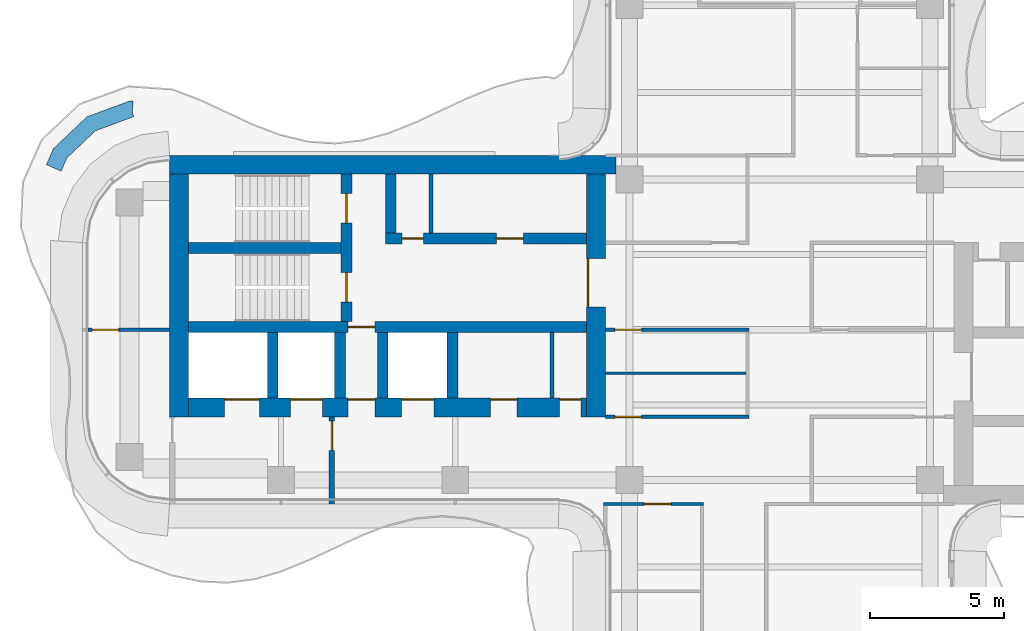
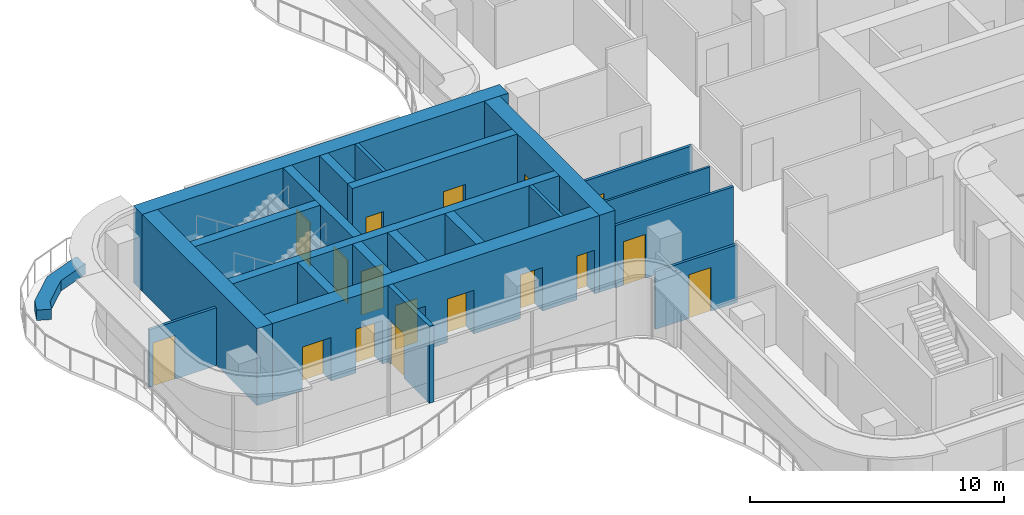
# One storey, part 12 of 17: 22 walls, 17 doors, 17 openings.
"""IFC4 building model written with IfcOpenShell, lengths in metres."""

from ifc_helpers import new_model, si_unit, direction, frame, frame_2d, origin, place, context, subcontext, project, spatial, polyline, rectangle, outline, extrude, source, transform, mapped, material, layer, layer_set, type_object, element, fill, save


model = new_model("IFC4")

# Units and contexts
model_context = context("Model", 3, precision=1e-05, world=origin(), true_north=direction((0.0, 1.0)))
body_context = subcontext(model_context, "Body", "Model", "MODEL_VIEW")
ifc_project = project(units=[si_unit("LENGTHUNIT", "METRE"), si_unit("AREAUNIT", "SQUARE_METRE"), si_unit("VOLUMEUNIT", "CUBIC_METRE"), si_unit("PLANEANGLEUNIT", "RADIAN"), si_unit("MASSUNIT", "GRAM", prefix="KILO")], contexts=[model_context])

# Site, building, storey
site_placement = place(None, origin())
site = spatial("IfcSite", under=ifc_project, at=site_placement, CompositionType="ELEMENT")
building_placement = place(site_placement, origin())
building = spatial("IfcBuilding", under=site, at=building_placement, Name="Trellis Farm Tower", CompositionType="ELEMENT")
storey_placement = place(building_placement, frame((0.0, 0.0, 283.300048828125)))
storey = spatial("IfcBuildingStorey", under=building, at=storey_placement, Name="L63", CompositionType="ELEMENT", Elevation=283.300048828125)

# Wall
ifc_material_1 = material(Name="Sandstone faced masonry planter", Category="masonry")
ifc_layer_1 = layer(ifc_material_1, 0.60009765625)
ifc_layer_set_1 = layer_set([ifc_layer_1], Name="PLANTER BED 600")
wall_type_1 = type_object("IfcWallType", Name="PLANTER BED 600", PredefinedType="USERDEFINED", material=ifc_layer_set_1)
wall_1_placement = place(storey_placement, origin())
element("IfcWall", 1, at=wall_1_placement, inside=storey, type_object=wall_type_1, Name="PLANTER bed", ObjectType="PLANTER", PredefinedType="USERDEFINED", context=body_context, shape_type="SweptSolid", body=[
    extrude(outline(polyline([(-27.080078125, 6.758056640625), (-25.83154296875, 7.940673828125), (-24.2314453125, 8.530517578125), (-24.109375, 8.522216796875), (-24.138427734375, 8.085693359375), (-24.083984375, 7.9453125), (-25.508544921875, 7.42041015625), (-26.579345703125, 6.40576171875), (-26.79541015625, 5.91357421875), (-27.3447265625, 6.15478515625), (-27.080078125, 6.758056640625)])), origin(), (0.0, 0.0, 1.0), 0.5),
])

# Wall, opening, door
ifc_material_2 = material(Name="Concrete C50/60", Category="concrete")
ifc_layer_2 = layer(ifc_material_2, 0.699951171875)
ifc_layer_set_2 = layer_set([ifc_layer_2], Name="CORE OUTER WALL 700 CONCRETE C50/60")
wall_type_2 = type_object("IfcWallType", Name="CORE OUTER WALL 700 CONCRETE C50/60", PredefinedType="SHEAR", material=ifc_layer_set_2)
shared_shape_1 = source(origin(), body_context, "Body", "SweptSolid", [
    extrude(rectangle(XDim=9.050048828125, YDim=0.699951171875, at=frame_2d((4.52490234375, 0.0))), origin(), (0.0, 0.0, 1.0), 3.699951171875),
])
wall_2_placement = place(storey_placement, frame((-6.85009765625, 5.800048828125, 0.0), z_axis=(0.0, 0.0, 1.0), x_axis=(0.0, -1.0, 0.0)))
wall_2 = element("IfcWall", 2, at=wall_2_placement, inside=storey, type_object=wall_type_2, Name="Core wall", PredefinedType="SHEAR", context=body_context, shape_type="MappedRepresentation", body=[
    mapped(shared_shape_1, transform((0.0, 0.0, 0.0))),
])
shared_shape_2 = source(origin(), body_context, "Body", "SweptSolid", [
    extrude(rectangle(XDim=1.800048828125, YDim=2.10009765625, at=frame_2d((0.89990234375, 1.050048828125))), frame((0.0, 0.360107421875, 0.0), z_axis=(0.0, -1.0, 0.0), x_axis=(1.0, 0.0, 0.0)), (0.0, 0.0, 1.0), 0.72021484375),
])
opening_1_placement = place(wall_2_placement, frame((3.14990234375, 0.0, 0.0)))
opening_1 = element("IfcOpeningElement", 3, at=opening_1_placement, cuts=wall_2, Name="Opening DC87", PredefinedType="OPENING", context=body_context, shape_type="MappedRepresentation", body=[
    mapped(shared_shape_2, transform((0.0, 0.0, 0.0))),
])
ifc_material_3 = material(Name="Steel", Category="steel")
door_type_1 = type_object("IfcDoorType", Name="CORE FIRE DOOR DOUBLE 1800 X 2100", OperationType="DOUBLE_DOOR_SINGLE_SWING", PredefinedType="DOOR", material=ifc_material_3)
shared_shape_3 = source(origin(), body_context, "Body", "SweptSolid", [
    extrude(rectangle(XDim=1.800048828125, YDim=2.10009765625, at=frame_2d((0.89990234375, 1.050048828125))), frame((0.0, -0.27490234375, 0.0), z_axis=(0.0, -1.0, 0.0), x_axis=(1.0, 0.0, 0.0)), (0.0, 0.0, 1.0), 0.050048828125),
])
door_1_placement = place(opening_1_placement, origin())
door_1 = element("IfcDoor", 4, at=door_1_placement, inside=storey, type_object=door_type_1, Name="Core door", OperationType="DOUBLE_DOOR_SINGLE_SWING", OverallHeight=2.10009765625, OverallWidth=1.800048828125, PredefinedType="DOOR", context=body_context, shape_type="MappedRepresentation", body=[
    mapped(shared_shape_3, transform((0.0, 0.0, 0.0))),
])
fill(opening_1, door_1)

# Walls
wall_3_placement = place(storey_placement, frame((-22.39990234375, 5.800048828125, 0.0), z_axis=(0.0, 0.0, 1.0), x_axis=(0.0, -1.0, 0.0)))
element("IfcWall", 5, at=wall_3_placement, inside=storey, type_object=wall_type_2, Name="Core wall", PredefinedType="SHEAR", context=body_context, shape_type="MappedRepresentation", body=[
    mapped(shared_shape_1, transform((0.0, 0.0, 0.0))),
])
ifc_layer_3 = layer(ifc_material_2, 0.39990234375)
ifc_layer_set_3 = layer_set([ifc_layer_3], Name="CORE INNER WALL 400 CONCRETE C50/60")
wall_type_3 = type_object("IfcWallType", Name="CORE INNER WALL 400 CONCRETE C50/60", PredefinedType="SHEAR", material=ifc_layer_set_3)
shared_shape_4 = source(origin(), body_context, "Body", "SweptSolid", [
    extrude(rectangle(XDim=2.449951171875, YDim=0.39990234375, at=frame_2d((1.22509765625, 0.0))), origin(), (0.0, 0.0, 1.0), 3.699951171875),
])
for number, where, z_axis, x_axis, name in (
    (6, (-12.199951171875, -0.10009765625, 0.0), (0.0, 0.0, 1.0), (0.0, -1.0, 0.0), "Core wall"),
    (7, (-14.800048828125, -0.10009765625, 0.0), (0.0, 0.0, 1.0), (0.0, -1.0, 0.0), "Core wall"),
    (8, (-16.39990234375, -0.10009765625, 0.0), (0.0, 0.0, 1.0), (0.0, -1.0, 0.0), "Core wall"),
    (9, (-18.89990234375, -0.10009765625, 0.0), (0.0, 0.0, 1.0), (0.0, -1.0, 0.0), "Core wall"),
):
    element("IfcWall", number, at=place(storey_placement, frame(where, z_axis=z_axis, x_axis=x_axis)), inside=storey, type_object=wall_type_3, Name=name, PredefinedType="SHEAR", context=body_context, shape_type="MappedRepresentation", body=[
        mapped(shared_shape_4, transform((0.0, 0.0, 0.0))),
    ])

# Wall, opening, door
ifc_material_4 = material(Name="Masonry blockwork", Category="masonry")
ifc_layer_4 = layer(ifc_material_4, 0.199951171875)
ifc_layer_set_4 = layer_set([ifc_layer_4], Name="FIRE LOBBY PARTITION 200 BLOCKWORK")
wall_type_4 = type_object("IfcWallType", Name="FIRE LOBBY PARTITION 200 BLOCKWORK", PredefinedType="PARTITIONING", material=ifc_layer_set_4)
shared_shape_5 = source(origin(), body_context, "Body", "SweptSolid", [
    extrude(rectangle(XDim=3.25, YDim=0.199951171875, at=frame_2d((1.625, 0.0))), origin(), (0.0, 0.0, 1.0), 3.699951171875),
])
wall_4_placement = place(storey_placement, frame((-16.699951171875, -3.25, 0.0), z_axis=(0.0, 0.0, 1.0), x_axis=(0.0, -1.0, 0.0)))
wall_4 = element("IfcWall", 10, at=wall_4_placement, inside=storey, type_object=wall_type_4, Name="Fire-fighting lobby partition", PredefinedType="PARTITIONING", context=body_context, shape_type="MappedRepresentation", body=[
    mapped(shared_shape_5, transform((0.0, 0.0, 0.0))),
])
shared_shape_6 = source(origin(), body_context, "Body", "SweptSolid", [
    extrude(rectangle(XDim=1.10009765625, YDim=2.10009765625, at=frame_2d((0.550048828125, 1.050048828125))), frame((0.0, 0.110107421875, 0.0), z_axis=(0.0, -1.0, 0.0), x_axis=(1.0, 0.0, 0.0)), (0.0, 0.0, 1.0), 0.22021484375),
])
opening_2_placement = place(wall_4_placement, frame((0.14990234375, 0.0, 0.0)))
opening_2 = element("IfcOpeningElement", 11, at=opening_2_placement, cuts=wall_4, Name="Opening DC93", PredefinedType="OPENING", context=body_context, shape_type="MappedRepresentation", body=[
    mapped(shared_shape_6, transform((0.0, 0.0, 0.0))),
])
door_type_2 = type_object("IfcDoorType", Name="CORE FIRE DOOR 1100 X 2100", OperationType="NOTDEFINED", PredefinedType="DOOR", material=ifc_material_3)
shared_shape_7 = source(origin(), body_context, "Body", "SweptSolid", [
    extrude(rectangle(XDim=1.10009765625, YDim=2.10009765625, at=frame_2d((0.550048828125, 1.050048828125))), frame((0.0, 0.02490234375, 0.0), z_axis=(0.0, -1.0, 0.0), x_axis=(1.0, 0.0, 0.0)), (0.0, 0.0, 1.0), 0.050048828125),
])
door_2_placement = place(opening_2_placement, origin())
door_2 = element("IfcDoor", 12, at=door_2_placement, inside=storey, type_object=door_type_2, Name="Core door", OperationType="SINGLE_SWING_RIGHT", OverallHeight=2.10009765625, OverallWidth=1.10009765625, PredefinedType="DOOR", context=body_context, shape_type="MappedRepresentation", body=[
    mapped(shared_shape_7, transform((0.0, 0.0, 0.0))),
])
fill(opening_2, door_2)

# Wall, openings, doors
shared_shape_8 = source(origin(), body_context, "Body", "SweptSolid", [
    extrude(rectangle(XDim=14.85009765625, YDim=0.699951171875, at=frame_2d((7.425048828125, 0.0))), origin(), (0.0, 0.0, 1.0), 3.699951171875),
])
wall_5_placement = place(storey_placement, frame((-7.199951171875, -2.89990234375, 0.0), z_axis=(0.0, 0.0, 1.0), x_axis=(-1.0, 0.0, 0.0)))
wall_5 = element("IfcWall", 13, at=wall_5_placement, inside=storey, type_object=wall_type_2, Name="Core wall", PredefinedType="SHEAR", context=body_context, shape_type="MappedRepresentation", body=[
    mapped(shared_shape_8, transform((0.0, 0.0, 0.0))),
])
shared_shape_9 = source(origin(), body_context, "Body", "SweptSolid", [
    extrude(rectangle(XDim=1.199951171875, YDim=2.10009765625, at=frame_2d((0.60009765625, 1.050048828125))), frame((0.0, 0.360107421875, 0.0), z_axis=(0.0, -1.0, 0.0), x_axis=(1.0, 0.0, 0.0)), (0.0, 0.0, 1.0), 0.72021484375),
])
opening_3_placement = place(wall_5_placement, frame((5.699951171875, 0.0, 0.0)))
opening_3 = element("IfcOpeningElement", 14, at=opening_3_placement, cuts=wall_5, Name="Opening LD14", PredefinedType="OPENING", context=body_context, shape_type="MappedRepresentation", body=[
    mapped(shared_shape_9, transform((0.0, 0.0, 0.0))),
])
shared_shape_10 = source(origin(), body_context, "Body", "SweptSolid", [
    extrude(rectangle(XDim=1.300048828125, YDim=2.10009765625, at=frame_2d((0.64990234375, 1.050048828125))), frame((0.0, 0.360107421875, 0.0), z_axis=(0.0, -1.0, 0.0), x_axis=(1.0, 0.0, 0.0)), (0.0, 0.0, 1.0), 0.72021484375),
])
opening_4_placement = place(wall_5_placement, frame((12.199951171875, 0.0, 0.0)))
opening_4 = element("IfcOpeningElement", 15, at=opening_4_placement, cuts=wall_5, Name="Opening LD15", PredefinedType="OPENING", context=body_context, shape_type="MappedRepresentation", body=[
    mapped(shared_shape_10, transform((0.0, 0.0, 0.0))),
])
opening_5_placement = place(wall_5_placement, frame((9.85009765625, 0.0, 0.0)))
opening_5 = element("IfcOpeningElement", 16, at=opening_5_placement, cuts=wall_5, Name="Opening LD16", PredefinedType="OPENING", context=body_context, shape_type="MappedRepresentation", body=[
    mapped(shared_shape_9, transform((0.0, 0.0, 0.0))),
])
shared_shape_11 = source(origin(), body_context, "Body", "SweptSolid", [
    extrude(rectangle(XDim=1.0, YDim=2.10009765625, at=frame_2d((0.5, 1.050048828125))), frame((0.0, 0.360107421875, 0.0), z_axis=(0.0, -1.0, 0.0), x_axis=(1.0, 0.0, 0.0)), (0.0, 0.0, 1.0), 0.72021484375),
])
opening_6_placement = place(wall_5_placement, frame((7.89990234375, 0.0, 0.0)))
opening_6 = element("IfcOpeningElement", 17, at=opening_6_placement, cuts=wall_5, Name="Opening DC92", PredefinedType="OPENING", context=body_context, shape_type="MappedRepresentation", body=[
    mapped(shared_shape_11, transform((0.0, 0.0, 0.0))),
])
shared_shape_12 = source(origin(), body_context, "Body", "SweptSolid", [
    extrude(rectangle(XDim=0.800048828125, YDim=2.10009765625, at=frame_2d((0.39990234375, 1.050048828125))), frame((0.0, 0.360107421875, 0.0), z_axis=(0.0, -1.0, 0.0), x_axis=(1.0, 0.0, 0.0)), (0.0, 0.0, 1.0), 0.72021484375),
])
opening_7_placement = place(wall_5_placement, frame((0.21240234375, 0.0, 0.0)))
opening_7 = element("IfcOpeningElement", 18, at=opening_7_placement, cuts=wall_5, Name="Opening DC95", PredefinedType="OPENING", context=body_context, shape_type="MappedRepresentation", body=[
    mapped(shared_shape_12, transform((0.0, 0.0, 0.0))),
])
opening_8_placement = place(wall_5_placement, frame((2.58740234375, 0.0, 0.0)))
opening_8 = element("IfcOpeningElement", 19, at=opening_8_placement, cuts=wall_5, Name="Opening DC106", PredefinedType="OPENING", context=body_context, shape_type="MappedRepresentation", body=[
    mapped(shared_shape_11, transform((0.0, 0.0, 0.0))),
])
door_type_3 = type_object("IfcDoorType", Name="CORE FIRE DOOR 1000 X 2100", OperationType="NOTDEFINED", PredefinedType="DOOR", material=ifc_material_3)
shared_shape_13 = source(origin(), body_context, "Body", "SweptSolid", [
    extrude(rectangle(XDim=1.0, YDim=2.10009765625, at=frame_2d((0.5, 1.050048828125))), frame((0.0, -0.27490234375, 0.0), z_axis=(0.0, -1.0, 0.0), x_axis=(1.0, 0.0, 0.0)), (0.0, 0.0, 1.0), 0.050048828125),
])
door_3_placement = place(opening_6_placement, origin())
door_3 = element("IfcDoor", 20, at=door_3_placement, inside=storey, type_object=door_type_3, Name="Core door", OperationType="SINGLE_SWING_LEFT", OverallHeight=2.10009765625, OverallWidth=1.0, PredefinedType="DOOR", context=body_context, shape_type="MappedRepresentation", body=[
    mapped(shared_shape_13, transform((0.0, 0.0, 0.0))),
])
fill(opening_6, door_3)
door_4_placement = place(opening_8_placement, origin())
door_4 = element("IfcDoor", 21, at=door_4_placement, inside=storey, type_object=door_type_3, Name="Core door", OperationType="SINGLE_SWING_RIGHT", OverallHeight=2.10009765625, OverallWidth=1.0, PredefinedType="DOOR", context=body_context, shape_type="MappedRepresentation", body=[
    mapped(shared_shape_13, transform((0.0, 0.0, 0.0))),
])
fill(opening_8, door_4)
ifc_material_5 = material(Name="Stainless steel", Category="steel")
door_type_4 = type_object("IfcDoorType", Name="LIFT LANDING DOOR 1300 X 2100", OperationType="DOUBLE_DOOR_SLIDING", PredefinedType="DOOR", material=ifc_material_5)
shared_shape_14 = source(origin(), body_context, "Body", "SweptSolid", [
    extrude(rectangle(XDim=1.300048828125, YDim=2.10009765625, at=frame_2d((0.64990234375, 1.050048828125))), frame((0.0, -0.27490234375, 0.0), z_axis=(0.0, -1.0, 0.0), x_axis=(1.0, 0.0, 0.0)), (0.0, 0.0, 1.0), 0.050048828125),
])
door_5_placement = place(opening_4_placement, origin())
door_5 = element("IfcDoor", 22, at=door_5_placement, inside=storey, type_object=door_type_4, Name="Lift landing door", OperationType="DOUBLE_DOOR_SLIDING", OverallHeight=2.10009765625, OverallWidth=1.300048828125, PredefinedType="DOOR", context=body_context, shape_type="MappedRepresentation", body=[
    mapped(shared_shape_14, transform((0.0, 0.0, 0.0))),
])
fill(opening_4, door_5)
door_type_5 = type_object("IfcDoorType", Name="LIFT LANDING DOOR 1200 X 2100", OperationType="DOUBLE_DOOR_SLIDING", PredefinedType="DOOR", material=ifc_material_5)
shared_shape_15 = source(origin(), body_context, "Body", "SweptSolid", [
    extrude(rectangle(XDim=1.199951171875, YDim=2.10009765625, at=frame_2d((0.60009765625, 1.050048828125))), frame((0.0, -0.27490234375, 0.0), z_axis=(0.0, -1.0, 0.0), x_axis=(1.0, 0.0, 0.0)), (0.0, 0.0, 1.0), 0.050048828125),
])
door_6_placement = place(opening_3_placement, origin())
door_6 = element("IfcDoor", 23, at=door_6_placement, inside=storey, type_object=door_type_5, Name="Lift landing door", OperationType="DOUBLE_DOOR_SLIDING", OverallHeight=2.10009765625, OverallWidth=1.199951171875, PredefinedType="DOOR", context=body_context, shape_type="MappedRepresentation", body=[
    mapped(shared_shape_15, transform((0.0, 0.0, 0.0))),
])
fill(opening_3, door_6)
door_7_placement = place(opening_5_placement, origin())
door_7 = element("IfcDoor", 24, at=door_7_placement, inside=storey, type_object=door_type_5, Name="Lift landing door", OperationType="DOUBLE_DOOR_SLIDING", OverallHeight=2.10009765625, OverallWidth=1.199951171875, PredefinedType="DOOR", context=body_context, shape_type="MappedRepresentation", body=[
    mapped(shared_shape_15, transform((0.0, 0.0, 0.0))),
])
fill(opening_5, door_7)
door_type_6 = type_object("IfcDoorType", Name="CORE FIRE DOOR 800 X 2100", OperationType="NOTDEFINED", PredefinedType="DOOR", material=ifc_material_3)
shared_shape_16 = source(origin(), body_context, "Body", "SweptSolid", [
    extrude(rectangle(XDim=0.800048828125, YDim=2.10009765625, at=frame_2d((0.39990234375, 1.050048828125))), frame((0.0, -0.27490234375, 0.0), z_axis=(0.0, -1.0, 0.0), x_axis=(1.0, 0.0, 0.0)), (0.0, 0.0, 1.0), 0.050048828125),
])
door_8_placement = place(opening_7_placement, origin())
door_8 = element("IfcDoor", 25, at=door_8_placement, inside=storey, type_object=door_type_6, Name="Core door", OperationType="SINGLE_SWING_LEFT", OverallHeight=2.10009765625, OverallWidth=0.800048828125, PredefinedType="DOOR", context=body_context, shape_type="MappedRepresentation", body=[
    mapped(shared_shape_16, transform((0.0, 0.0, 0.0))),
])
fill(opening_7, door_8)

shared_shape_17 = source(origin(), body_context, "Body", "SweptSolid", [
    extrude(rectangle(XDim=7.5, YDim=0.39990234375, at=frame_2d((3.75, 0.0))), origin(), (0.0, 0.0, 1.0), 3.699951171875),
])
wall_6_placement = place(storey_placement, frame((-7.199951171875, 3.39990234375, 0.0), z_axis=(0.0, 0.0, 1.0), x_axis=(-1.0, 0.0, 0.0)))
wall_6 = element("IfcWall", 26, at=wall_6_placement, inside=storey, type_object=wall_type_3, Name="Core wall", PredefinedType="SHEAR", context=body_context, shape_type="MappedRepresentation", body=[
    mapped(shared_shape_17, transform((0.0, 0.0, 0.0))),
])
shared_shape_18 = source(origin(), body_context, "Body", "SweptSolid", [
    extrude(rectangle(XDim=1.0, YDim=2.10009765625, at=frame_2d((0.5, 1.050048828125))), frame((0.0, 0.2099609375, 0.0), z_axis=(0.0, -1.0, 0.0), x_axis=(1.0, 0.0, 0.0)), (0.0, 0.0, 1.0), 0.419921875),
])
opening_9_placement = place(wall_6_placement, frame((2.362548828125, 0.0, 0.0)))
opening_9 = element("IfcOpeningElement", 27, at=opening_9_placement, cuts=wall_6, Name="Opening DC141", PredefinedType="OPENING", context=body_context, shape_type="MappedRepresentation", body=[
    mapped(shared_shape_18, transform((0.0, 0.0, 0.0))),
])
shared_shape_19 = source(origin(), body_context, "Body", "SweptSolid", [
    extrude(rectangle(XDim=0.800048828125, YDim=2.10009765625, at=frame_2d((0.39990234375, 1.050048828125))), frame((0.0, 0.2099609375, 0.0), z_axis=(0.0, -1.0, 0.0), x_axis=(1.0, 0.0, 0.0)), (0.0, 0.0, 1.0), 0.419921875),
])
opening_10_placement = place(wall_6_placement, frame((6.08740234375, 0.0, 0.0)))
opening_10 = element("IfcOpeningElement", 28, at=opening_10_placement, cuts=wall_6, Name="Opening DC144", PredefinedType="OPENING", context=body_context, shape_type="MappedRepresentation", body=[
    mapped(shared_shape_19, transform((0.0, 0.0, 0.0))),
])
shared_shape_20 = source(origin(), body_context, "Body", "SweptSolid", [
    extrude(rectangle(XDim=1.0, YDim=2.10009765625, at=frame_2d((0.5, 1.050048828125))), frame((0.0, 0.02490234375, 0.0), z_axis=(0.0, -1.0, 0.0), x_axis=(1.0, 0.0, 0.0)), (0.0, 0.0, 1.0), 0.050048828125),
])
door_9_placement = place(opening_9_placement, origin())
door_9 = element("IfcDoor", 29, at=door_9_placement, inside=storey, type_object=door_type_3, Name="Core door", OperationType="SINGLE_SWING_LEFT", OverallHeight=2.10009765625, OverallWidth=1.0, PredefinedType="DOOR", context=body_context, shape_type="MappedRepresentation", body=[
    mapped(shared_shape_20, transform((0.0, 0.0, 0.0))),
])
fill(opening_9, door_9)
shared_shape_21 = source(origin(), body_context, "Body", "SweptSolid", [
    extrude(rectangle(XDim=0.800048828125, YDim=2.10009765625, at=frame_2d((0.39990234375, 1.050048828125))), frame((0.0, 0.02490234375, 0.0), z_axis=(0.0, -1.0, 0.0), x_axis=(1.0, 0.0, 0.0)), (0.0, 0.0, 1.0), 0.050048828125),
])
door_10_placement = place(opening_10_placement, origin())
door_10 = element("IfcDoor", 30, at=door_10_placement, inside=storey, type_object=door_type_6, Name="Core door", OperationType="SINGLE_SWING_RIGHT", OverallHeight=2.10009765625, OverallWidth=0.800048828125, PredefinedType="DOOR", context=body_context, shape_type="MappedRepresentation", body=[
    mapped(shared_shape_21, transform((0.0, 0.0, 0.0))),
])
fill(opening_10, door_10)

# Wall, opening, door
shared_shape_22 = source(origin(), body_context, "Body", "SweptSolid", [
    extrude(rectangle(XDim=14.85009765625, YDim=0.39990234375, at=frame_2d((7.425048828125, 0.0))), origin(), (0.0, 0.0, 1.0), 3.699951171875),
])
wall_7_placement = place(storey_placement, frame((-7.199951171875, 0.10009765625, 0.0), z_axis=(0.0, 0.0, 1.0), x_axis=(-1.0, 0.0, 0.0)))
wall_7 = element("IfcWall", 31, at=wall_7_placement, inside=storey, type_object=wall_type_3, Name="Core wall", PredefinedType="SHEAR", context=body_context, shape_type="MappedRepresentation", body=[
    mapped(shared_shape_22, transform((0.0, 0.0, 0.0))),
])
opening_11_placement = place(wall_7_placement, frame((7.89990234375, 0.0, 0.0)))
opening_11 = element("IfcOpeningElement", 32, at=opening_11_placement, cuts=wall_7, Name="Opening DC91", PredefinedType="OPENING", context=body_context, shape_type="MappedRepresentation", body=[
    mapped(shared_shape_18, transform((0.0, 0.0, 0.0))),
])
door_11_placement = place(opening_11_placement, origin())
door_11 = element("IfcDoor", 33, at=door_11_placement, inside=storey, type_object=door_type_3, Name="Core door", OperationType="SINGLE_SWING_RIGHT", OverallHeight=2.10009765625, OverallWidth=1.0, PredefinedType="DOOR", context=body_context, shape_type="MappedRepresentation", body=[
    mapped(shared_shape_20, transform((0.0, 0.0, 0.0))),
])
fill(opening_11, door_11)

# Wall, openings, doors
shared_shape_23 = source(origin(), body_context, "Body", "SweptSolid", [
    extrude(rectangle(XDim=5.5, YDim=0.39990234375, at=frame_2d((2.75, 0.0))), origin(), (0.0, 0.0, 1.0), 3.699951171875),
])
wall_8_placement = place(storey_placement, frame((-16.14990234375, 5.800048828125, 0.0), z_axis=(0.0, 0.0, 1.0), x_axis=(0.0, -1.0, 0.0)))
wall_8 = element("IfcWall", 34, at=wall_8_placement, inside=storey, type_object=wall_type_3, Name="Core wall", PredefinedType="SHEAR", context=body_context, shape_type="MappedRepresentation", body=[
    mapped(shared_shape_23, transform((0.0, 0.0, 0.0))),
])
shared_shape_24 = source(origin(), body_context, "Body", "SweptSolid", [
    extrude(rectangle(XDim=1.10009765625, YDim=2.10009765625, at=frame_2d((0.550048828125, 1.050048828125))), frame((0.0, 0.2099609375, 0.0), z_axis=(0.0, -1.0, 0.0), x_axis=(1.0, 0.0, 0.0)), (0.0, 0.0, 1.0), 0.419921875),
])
opening_12_placement = place(wall_8_placement, frame((0.72509765625, 0.0, 0.0)))
opening_12 = element("IfcOpeningElement", 35, at=opening_12_placement, cuts=wall_8, Name="Opening DC88", PredefinedType="OPENING", context=body_context, shape_type="MappedRepresentation", body=[
    mapped(shared_shape_24, transform((0.0, 0.0, 0.0))),
])
opening_13_placement = place(wall_8_placement, frame((3.675048828125, 0.0, 0.0)))
opening_13 = element("IfcOpeningElement", 36, at=opening_13_placement, cuts=wall_8, Name="Opening DC89", PredefinedType="OPENING", context=body_context, shape_type="MappedRepresentation", body=[
    mapped(shared_shape_24, transform((0.0, 0.0, 0.0))),
])
door_12_placement = place(opening_12_placement, origin())
door_12 = element("IfcDoor", 37, at=door_12_placement, inside=storey, type_object=door_type_2, Name="Core door", OperationType="SINGLE_SWING_RIGHT", OverallHeight=2.10009765625, OverallWidth=1.10009765625, PredefinedType="DOOR", context=body_context, shape_type="MappedRepresentation", body=[
    mapped(shared_shape_7, transform((0.0, 0.0, 0.0))),
])
fill(opening_12, door_12)
door_13_placement = place(opening_13_placement, origin())
door_13 = element("IfcDoor", 38, at=door_13_placement, inside=storey, type_object=door_type_2, Name="Core door", OperationType="SINGLE_SWING_LEFT", OverallHeight=2.10009765625, OverallWidth=1.10009765625, PredefinedType="DOOR", context=body_context, shape_type="MappedRepresentation", body=[
    mapped(shared_shape_7, transform((0.0, 0.0, 0.0))),
])
fill(opening_13, door_13)

# Walls
shared_shape_25 = source(origin(), body_context, "Body", "SweptSolid", [
    extrude(rectangle(XDim=5.699951171875, YDim=0.39990234375, at=frame_2d((2.85009765625, 0.0))), origin(), (0.0, 0.0, 1.0), 3.699951171875),
])
wall_9_placement = place(storey_placement, frame((-16.35009765625, 3.050048828125, 0.0), z_axis=(0.0, 0.0, 1.0), x_axis=(-1.0, 0.0, 0.0)))
element("IfcWall", 39, at=wall_9_placement, inside=storey, type_object=wall_type_3, Name="Core wall", PredefinedType="SHEAR", context=body_context, shape_type="MappedRepresentation", body=[
    mapped(shared_shape_25, transform((0.0, 0.0, 0.0))),
])
shared_shape_26 = source(origin(), body_context, "Body", "SweptSolid", [
    extrude(rectangle(XDim=2.199951171875, YDim=0.39990234375, at=frame_2d((1.10009765625, 0.0))), origin(), (0.0, 0.0, 1.0), 3.699951171875),
])
wall_10_placement = place(storey_placement, frame((-14.5, 5.800048828125, 0.0), z_axis=(0.0, 0.0, 1.0), x_axis=(0.0, -1.0, 0.0)))
element("IfcWall", 40, at=wall_10_placement, inside=storey, type_object=wall_type_3, Name="Core wall", PredefinedType="SHEAR", context=body_context, shape_type="MappedRepresentation", body=[
    mapped(shared_shape_26, transform((0.0, 0.0, 0.0))),
])
ifc_layer_5 = layer(ifc_material_4, 0.14990234375)
ifc_layer_set_5 = layer_set([ifc_layer_5], Name="CORE PARTITION 150 BLOCKWORK")
wall_type_5 = type_object("IfcWallType", Name="CORE PARTITION 150 BLOCKWORK", PredefinedType="PARTITIONING", material=ifc_layer_set_5)
shared_shape_27 = source(origin(), body_context, "Body", "SweptSolid", [
    extrude(rectangle(XDim=2.199951171875, YDim=0.14990234375, at=frame_2d((1.10009765625, 0.0))), origin(), (0.0, 0.0, 1.0), 3.699951171875),
])
wall_11_placement = place(storey_placement, frame((-13.0, 5.800048828125, 0.0), z_axis=(0.0, 0.0, 1.0), x_axis=(0.0, -1.0, 0.0)))
element("IfcWall", 41, at=wall_11_placement, inside=storey, type_object=wall_type_5, Name="Core room partition", PredefinedType="PARTITIONING", context=body_context, shape_type="MappedRepresentation", body=[
    mapped(shared_shape_27, transform((0.0, 0.0, 0.0))),
])
shared_shape_28 = source(origin(), body_context, "Body", "SweptSolid", [
    extrude(rectangle(XDim=16.64990234375, YDim=0.699951171875, at=frame_2d((8.324951171875, 0.0))), origin(), (0.0, 0.0, 1.0), 3.699951171875),
])
wall_12_placement = place(storey_placement, frame((-6.10009765625, 6.14990234375, 0.0), z_axis=(0.0, 0.0, 1.0), x_axis=(-1.0, 0.0, 0.0)))
element("IfcWall", 42, at=wall_12_placement, inside=storey, type_object=wall_type_2, Name="Core wall", PredefinedType="SHEAR", context=body_context, shape_type="MappedRepresentation", body=[
    mapped(shared_shape_28, transform((0.0, 0.0, 0.0))),
])
shared_shape_29 = source(origin(), body_context, "Body", "SweptSolid", [
    extrude(rectangle(XDim=2.449951171875, YDim=0.14990234375, at=frame_2d((1.22509765625, 0.0))), origin(), (0.0, 0.0, 1.0), 3.699951171875),
])
wall_13_placement = place(storey_placement, frame((-8.5, -0.10009765625, 0.0), z_axis=(0.0, 0.0, 1.0), x_axis=(0.0, -1.0, 0.0)))
element("IfcWall", 43, at=wall_13_placement, inside=storey, type_object=wall_type_5, Name="Core room partition", PredefinedType="PARTITIONING", context=body_context, shape_type="MappedRepresentation", body=[
    mapped(shared_shape_29, transform((0.0, 0.0, 0.0))),
])

# Wall, opening, door
ifc_material_6 = material(Name="Plasterboard on steel studs, mineral wool", Category="steel")
ifc_layer_6 = layer(ifc_material_6, 0.125)
ifc_layer_set_6 = layer_set([ifc_layer_6], Name="PARTITION 125 STUD EI 60")
wall_type_6 = type_object("IfcWallType", Name="PARTITION 125 STUD EI 60", PredefinedType="PARTITIONING", material=ifc_layer_set_6)
shared_shape_30 = source(origin(), body_context, "Body", "SweptSolid", [
    extrude(rectangle(XDim=5.362548828125, YDim=0.125, at=frame_2d((2.68115234375, 0.0))), origin(), (0.0, 0.0, 1.0), 2.99658203125),
])
wall_14_placement = place(storey_placement, frame((-1.137451171875, -3.25, 0.0), z_axis=(0.0, 0.0, 1.0), x_axis=(-1.0, 0.0, 0.0)))
wall_14 = element("IfcWall", 44, at=wall_14_placement, inside=storey, type_object=wall_type_6, Name="Partition PW1", PredefinedType="PARTITIONING", context=body_context, shape_type="MappedRepresentation", body=[
    mapped(shared_shape_30, transform((0.0, 0.0, 0.0))),
])
shared_shape_31 = source(origin(), body_context, "Body", "SweptSolid", [
    extrude(rectangle(XDim=1.0, YDim=2.10009765625, at=frame_2d((0.5, 1.050048828125))), frame((0.0, 0.072509765625, 0.0), z_axis=(0.0, -1.0, 0.0), x_axis=(1.0, 0.0, 0.0)), (0.0, 0.0, 1.0), 0.14501953125),
])
opening_14_placement = place(wall_14_placement, frame((4.012451171875, 0.0, 0.0)))
opening_14 = element("IfcOpeningElement", 45, at=opening_14_placement, cuts=wall_14, Name="Opening D103", PredefinedType="OPENING", context=body_context, shape_type="MappedRepresentation", body=[
    mapped(shared_shape_31, transform((0.0, 0.0, 0.0))),
])
ifc_material_7 = material(Name="Fire-rated timber door leaf in a hollow metal frame", Category="wood")
door_type_7 = type_object("IfcDoorType", Name="DOOR 1000x2100 FD30S", OperationType="NOTDEFINED", PredefinedType="DOOR", material=ifc_material_7)
door_14_placement = place(opening_14_placement, origin())
door_14 = element("IfcDoor", 46, at=door_14_placement, inside=storey, type_object=door_type_7, Name="Door D103", OperationType="SINGLE_SWING_RIGHT", OverallHeight=2.10009765625, OverallWidth=1.0, PredefinedType="DOOR", context=body_context, shape_type="MappedRepresentation", body=[
    mapped(shared_shape_20, transform((0.0, 0.0, 0.0))),
])
fill(opening_14, door_14)

wall_15_placement = place(storey_placement, frame((-1.137451171875, 0.0, 0.0), z_axis=(0.0, 0.0, 1.0), x_axis=(-1.0, 0.0, 0.0)))
wall_15 = element("IfcWall", 47, at=wall_15_placement, inside=storey, type_object=wall_type_6, Name="Partition PW1", PredefinedType="PARTITIONING", context=body_context, shape_type="MappedRepresentation", body=[
    mapped(shared_shape_30, transform((0.0, 0.0, 0.0))),
])
opening_15_placement = place(wall_15_placement, frame((4.012451171875, 0.0, 0.0)))
opening_15 = element("IfcOpeningElement", 48, at=opening_15_placement, cuts=wall_15, Name="Opening D105", PredefinedType="OPENING", context=body_context, shape_type="MappedRepresentation", body=[
    mapped(shared_shape_31, transform((0.0, 0.0, 0.0))),
])
door_15_placement = place(opening_15_placement, origin())
door_15 = element("IfcDoor", 49, at=door_15_placement, inside=storey, type_object=door_type_7, Name="Door D105", OperationType="SINGLE_SWING_RIGHT", OverallHeight=2.10009765625, OverallWidth=1.0, PredefinedType="DOOR", context=body_context, shape_type="MappedRepresentation", body=[
    mapped(shared_shape_20, transform((0.0, 0.0, 0.0))),
])
fill(opening_15, door_15)

shared_shape_32 = source(origin(), body_context, "Body", "SweptSolid", [
    extrude(rectangle(XDim=3.72509765625, YDim=0.125, at=frame_2d((1.862548828125, 0.0))), origin(), (0.0, 0.0, 1.0), 2.780029296875),
])
wall_16_placement = place(storey_placement, frame((-2.83740234375, -6.5, 0.0), z_axis=(0.0, 0.0, 1.0), x_axis=(-1.0, 0.0, 0.0)))
wall_16 = element("IfcWall", 50, at=wall_16_placement, inside=storey, type_object=wall_type_6, Name="Partition PW1", PredefinedType="PARTITIONING", context=body_context, shape_type="MappedRepresentation", body=[
    mapped(shared_shape_32, transform((0.0, 0.0, 0.0))),
])
opening_16_placement = place(wall_16_placement, frame((1.21240234375, 0.0, 0.0)))
opening_16 = element("IfcOpeningElement", 51, at=opening_16_placement, cuts=wall_16, Name="Opening D102", PredefinedType="OPENING", context=body_context, shape_type="MappedRepresentation", body=[
    mapped(shared_shape_31, transform((0.0, 0.0, 0.0))),
])
door_16_placement = place(opening_16_placement, origin())
door_16 = element("IfcDoor", 52, at=door_16_placement, inside=storey, type_object=door_type_7, Name="Door D102", OperationType="SINGLE_SWING_RIGHT", OverallHeight=2.10009765625, OverallWidth=1.0, PredefinedType="DOOR", context=body_context, shape_type="MappedRepresentation", body=[
    mapped(shared_shape_20, transform((0.0, 0.0, 0.0))),
])
fill(opening_16, door_16)

# Wall
ifc_material_8 = material(Name="Plasterboard on steel studs", Category="steel")
ifc_layer_7 = layer(ifc_material_8, 0.10009765625)
ifc_layer_set_7 = layer_set([ifc_layer_7], Name="PARTITION 100 STUD EI 30")
wall_type_7 = type_object("IfcWallType", Name="PARTITION 100 STUD EI 30", PredefinedType="PARTITIONING", material=ifc_layer_set_7)
shared_shape_33 = source(origin(), body_context, "Body", "SweptSolid", [
    extrude(rectangle(XDim=5.237548828125, YDim=0.10009765625, at=frame_2d((2.61865234375, 0.0))), origin(), (0.0, 0.0, 1.0), 2.99658203125),
])
wall_17_placement = place(storey_placement, frame((-6.5, -1.625, 0.0), z_axis=(0.0, 0.0, 1.0), x_axis=(1.0, 0.0, 0.0)))
element("IfcWall", 53, at=wall_17_placement, inside=storey, type_object=wall_type_7, Name="Partition PW2", PredefinedType="PARTITIONING", context=body_context, shape_type="MappedRepresentation", body=[
    mapped(shared_shape_33, transform((0.0, 0.0, 0.0))),
])

# Wall, opening, door
shared_shape_34 = source(origin(), body_context, "Body", "SweptSolid", [
    extrude(rectangle(XDim=3.050048828125, YDim=0.125, at=frame_2d((1.52490234375, 0.0))), origin(), (0.0, 0.0, 1.0), 2.780029296875),
])
wall_18_placement = place(storey_placement, frame((-25.800048828125, 0.0, 0.0), z_axis=(0.0, 0.0, 1.0), x_axis=(1.0, 0.0, 0.0)))
wall_18 = element("IfcWall", 54, at=wall_18_placement, inside=storey, type_object=wall_type_6, Name="Partition PW1", PredefinedType="PARTITIONING", context=body_context, shape_type="MappedRepresentation", body=[
    mapped(shared_shape_34, transform((0.0, 0.0, 0.0))),
])
opening_17_placement = place(wall_18_placement, frame((0.14990234375, 0.0, 0.0)))
opening_17 = element("IfcOpeningElement", 55, at=opening_17_placement, cuts=wall_18, Name="Opening D104", PredefinedType="OPENING", context=body_context, shape_type="MappedRepresentation", body=[
    mapped(shared_shape_31, transform((0.0, 0.0, 0.0))),
])
door_17_placement = place(opening_17_placement, origin())
door_17 = element("IfcDoor", 56, at=door_17_placement, inside=storey, type_object=door_type_7, Name="Door D104", OperationType="SINGLE_SWING_LEFT", OverallHeight=2.10009765625, OverallWidth=1.0, PredefinedType="DOOR", context=body_context, shape_type="MappedRepresentation", body=[
    mapped(shared_shape_20, transform((0.0, 0.0, 0.0))),
])
fill(opening_17, door_17)

save(model, "model.ifc")
